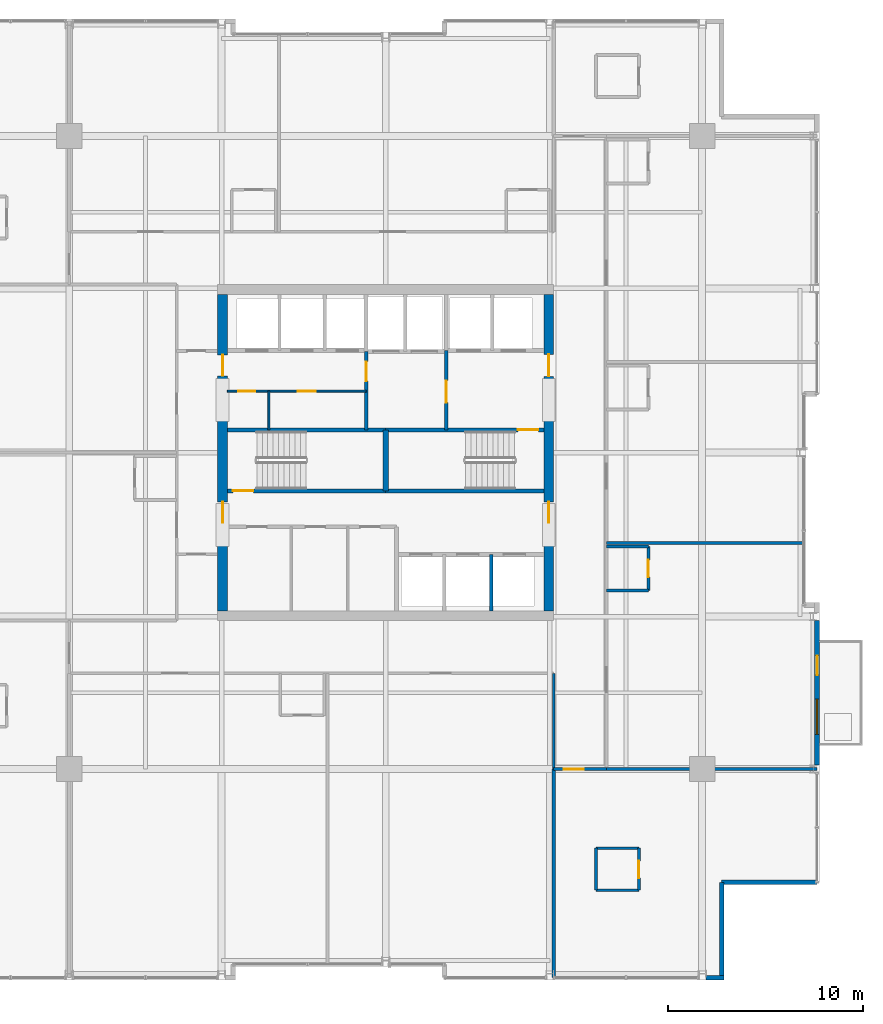
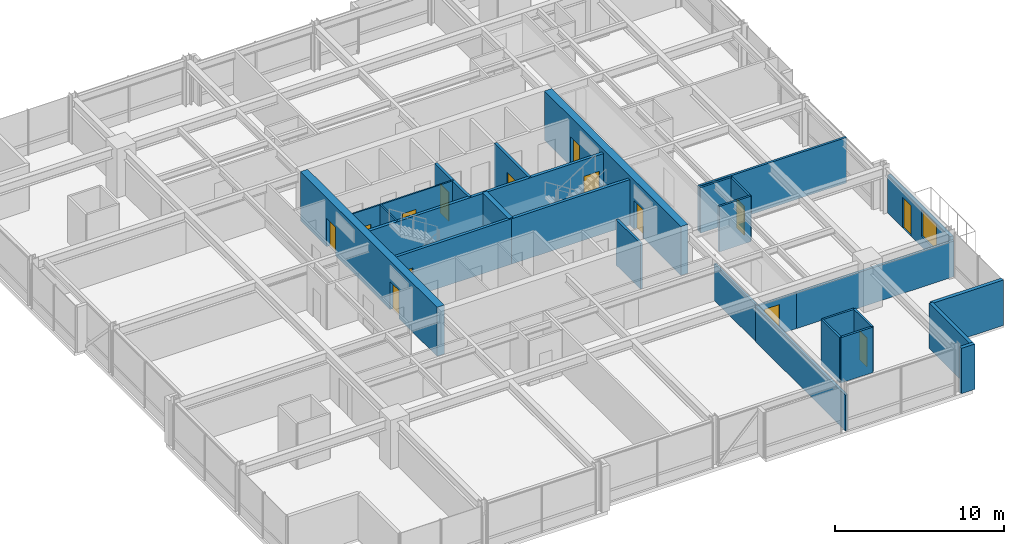
# One storey, part 28 of 33: 28 walls, 14 doors, 1 window, 15 openings.
"""IFC4 building model written with IfcOpenShell, lengths in metres."""

from ifc_helpers import new_model, si_unit, direction, frame, frame_2d, origin, place, context, subcontext, project, spatial, rectangle, extrude, material, layer, layer_set, type_object, element, fill, save


model = new_model("IFC4")

# Units and contexts
model_context = context("Model", 3, precision=1e-05, world=origin(), true_north=direction((0.0, 1.0)))
body_context = subcontext(model_context, "Body", "Model", "MODEL_VIEW")
ifc_project = project(units=[si_unit("LENGTHUNIT", "METRE"), si_unit("AREAUNIT", "SQUARE_METRE"), si_unit("VOLUMEUNIT", "CUBIC_METRE"), si_unit("PLANEANGLEUNIT", "RADIAN"), si_unit("MASSUNIT", "GRAM", prefix="KILO")], contexts=[model_context])

# Site, building, storey
site_placement = place(None, origin())
site = spatial("IfcSite", under=ifc_project, at=site_placement, CompositionType="ELEMENT")
building_placement = place(site_placement, origin())
building = spatial("IfcBuilding", under=site, at=building_placement, Name="Drelvath Grand Hotel", CompositionType="ELEMENT")
storey_placement = place(building_placement, frame((0.0, 0.0, 168.14990234375)))
storey = spatial("IfcBuildingStorey", under=building, at=storey_placement, Name="L43", CompositionType="ELEMENT", Elevation=168.14990234375)

# Wall, openings, doors
ifc_material_1 = material(Name="Gypsum Partition Board")
ifc_layer_1 = layer(ifc_material_1, 0.10009765625)
ifc_layer_set_1 = layer_set([ifc_layer_1], Name="Gypsum Partition Board")
wall_type_1 = type_object("IfcWallType", Name="Core Closet Partition 100", PredefinedType="PARTITIONING", material=ifc_layer_set_1)
wall_1_placement = place(storey_placement, frame((-8.10009765625, 30.139892578125, 0.0), z_axis=(0.0, 0.0, 1.0), x_axis=(1.0, 0.0, 0.0)))
wall_1 = element("IfcWall", 1, at=wall_1_placement, inside=storey, type_object=wall_type_1, Name="L43 High-Rise Lobby Closet Wall", PredefinedType="PARTITIONING", context=body_context, shape_type="SweptSolid", body=[
    extrude(rectangle(XDim=7.10009765625, YDim=0.10009765625, at=frame_2d((3.550048828125, 0.0))), origin(), (0.0, 0.0, 1.0), 3.2900390625),
])
opening_1_placement = place(wall_1_placement, frame((0.550048828125, 0.0, 0.0)))
opening_1 = element("IfcOpeningElement", 2, at=opening_1_placement, cuts=wall_1, Name="Opening D-T3G2-014", PredefinedType="OPENING", context=body_context, shape_type="SweptSolid", body=[
    extrude(rectangle(XDim=0.8798828125, YDim=2.10009765625, at=frame_2d((0.43994140625, 1.050048828125))), frame((0.0, 0.06005859375, 0.0), z_axis=(0.0, -1.0, 0.0), x_axis=(1.0, 0.0, 0.0)), (0.0, 0.0, 1.0), 0.1201171875),
])
opening_2_placement = place(wall_1_placement, frame((3.60009765625, 0.0, 0.0)))
opening_2 = element("IfcOpeningElement", 3, at=opening_2_placement, cuts=wall_1, Name="Opening D-T3G2-015", PredefinedType="OPENING", context=body_context, shape_type="SweptSolid", body=[
    extrude(rectangle(XDim=0.919921875, YDim=2.10009765625, at=frame_2d((0.4599609375, 1.050048828125))), frame((0.0, 0.06005859375, 0.0), z_axis=(0.0, -1.0, 0.0), x_axis=(1.0, 0.0, 0.0)), (0.0, 0.0, 1.0), 0.1201171875),
])
ifc_material_2 = material(Name="Hardwood Walnut Timber", Category="wood")
door_type_1 = type_object("IfcDoorType", Name="En-Suite Bathroom Door 880x2100", OperationType="NOTDEFINED", PredefinedType="DOOR", material=ifc_material_2)
door_1_placement = place(opening_1_placement, origin())
door_1 = element("IfcDoor", 4, at=door_1_placement, inside=storey, type_object=door_type_1, Name="L43 Low-Voltage Closet Door", OperationType="SINGLE_SWING_LEFT", OverallHeight=2.10009765625, OverallWidth=0.8798828125, PredefinedType="DOOR", context=body_context, shape_type="SweptSolid", body=[
    extrude(rectangle(XDim=0.8798828125, YDim=2.10009765625, at=frame_2d((0.43994140625, 1.050048828125))), frame((0.0, 0.02490234375, 0.0), z_axis=(0.0, -1.0, 0.0), x_axis=(1.0, 0.0, 0.0)), (0.0, 0.0, 1.0), 0.050048828125),
])
fill(opening_1, door_1)
ifc_material_3 = material(Name="Painted Steel S275", Category="steel")
door_type_2 = type_object("IfcDoorType", Name="Staff Utility Door 920x2100", OperationType="NOTDEFINED", PredefinedType="DOOR", material=ifc_material_3)
door_2_placement = place(opening_2_placement, origin())
door_2 = element("IfcDoor", 5, at=door_2_placement, inside=storey, type_object=door_type_2, Name="L43 Telecom Distribution Door", OperationType="SINGLE_SWING_RIGHT", OverallHeight=2.10009765625, OverallWidth=0.919921875, PredefinedType="DOOR", context=body_context, shape_type="SweptSolid", body=[
    extrude(rectangle(XDim=0.919921875, YDim=2.10009765625, at=frame_2d((0.4599609375, 1.050048828125))), frame((0.0, 0.02490234375, 0.0), z_axis=(0.0, -1.0, 0.0), x_axis=(1.0, 0.0, 0.0)), (0.0, 0.0, 1.0), 0.050048828125),
])
fill(opening_2, door_2)

# Wall
wall_2_placement = place(storey_placement, frame((-5.97998046875, 28.159912109375, 0.0), z_axis=(0.0, 0.0, 1.0), x_axis=(0.0, 1.0, 0.0)))
element("IfcWall", 6, at=wall_2_placement, inside=storey, type_object=wall_type_1, Name="L43 Core Closet Split 2", PredefinedType="PARTITIONING", context=body_context, shape_type="SweptSolid", body=[
    extrude(rectangle(XDim=1.97998046875, YDim=0.10009765625, at=frame_2d((0.989990234375, 0.0))), origin(), (0.0, 0.0, 1.0), 3.2900390625),
])

# Wall, opening, door
ifc_material_4 = material(Name="Concrete C40/50", Category="concrete")
ifc_layer_2 = layer(ifc_material_4, 0.199951171875)
ifc_layer_set_2 = layer_set([ifc_layer_2], Name="Concrete C40/50")
wall_type_2 = type_object("IfcWallType", Name="Core Shaft Fire Wall 200", PredefinedType="SOLIDWALL", material=ifc_layer_set_2)
wall_3_placement = place(storey_placement, frame((-8.10009765625, 25.0400390625, 0.0), z_axis=(0.0, 0.0, 1.0), x_axis=(1.0, 0.0, 0.0)))
wall_3 = element("IfcWall", 7, at=wall_3_placement, inside=storey, type_object=wall_type_2, Name="L43 Stair ST-1 South Wall", PredefinedType="SOLIDWALL", context=body_context, shape_type="SweptSolid", body=[
    extrude(rectangle(XDim=8.10009765625, YDim=0.199951171875, at=frame_2d((4.050048828125, 0.0))), origin(), (0.0, 0.0, 1.0), 3.2900390625),
])
opening_3_placement = place(wall_3_placement, frame((0.280029296875, 0.0, 0.0)))
opening_3 = element("IfcOpeningElement", 8, at=opening_3_placement, cuts=wall_3, Name="Opening D-T3G2-001", PredefinedType="OPENING", context=body_context, shape_type="SweptSolid", body=[
    extrude(rectangle(XDim=1.050048828125, YDim=2.10009765625, at=frame_2d((0.52490234375, 1.050048828125))), frame((0.0, 0.10986328125, 0.0), z_axis=(0.0, -1.0, 0.0), x_axis=(1.0, 0.0, 0.0)), (0.0, 0.0, 1.0), 0.219970703125),
])
door_type_3 = type_object("IfcDoorType", Name="Tower Stairwell Fire Door 1050x2100", OperationType="NOTDEFINED", PredefinedType="DOOR", material=ifc_material_3)
door_3_placement = place(opening_3_placement, origin())
door_3 = element("IfcDoor", 9, at=door_3_placement, inside=storey, type_object=door_type_3, Name="L43 Exit Stair ST-1 Door", OperationType="SINGLE_SWING_LEFT", OverallHeight=2.10009765625, OverallWidth=1.050048828125, PredefinedType="DOOR", context=body_context, shape_type="SweptSolid", body=[
    extrude(rectangle(XDim=1.050048828125, YDim=2.10009765625, at=frame_2d((0.52490234375, 1.050048828125))), frame((0.0, 0.02490234375, 0.0), z_axis=(0.0, -1.0, 0.0), x_axis=(1.0, 0.0, 0.0)), (0.0, 0.0, 1.0), 0.050048828125),
])
fill(opening_3, door_3)

# Walls
for number, where, z_axis, x_axis, name in (
    (10, (-8.10009765625, 28.159912109375, 0.0), (0.0, 0.0, 1.0), (1.0, 0.0, 0.0), "L43 Stair ST-1 North Wall"),
    (11, (0.0, 25.0400390625, 0.0), (0.0, 0.0, 1.0), (1.0, 0.0, 0.0), "L43 Stair ST-2 South Wall"),
):
    element("IfcWall", number, at=place(storey_placement, frame(where, z_axis=z_axis, x_axis=x_axis)), inside=storey, type_object=wall_type_2, Name=name, PredefinedType="SOLIDWALL", context=body_context, shape_type="SweptSolid", body=[
        extrude(rectangle(XDim=8.10009765625, YDim=0.199951171875, at=frame_2d((4.050048828125, 0.0))), origin(), (0.0, 0.0, 1.0), 3.2900390625),
    ])

# Wall, opening, door
wall_4_placement = place(storey_placement, frame((8.10009765625, 28.159912109375, 0.0), z_axis=(0.0, 0.0, 1.0), x_axis=(-1.0, 0.0, 0.0)))
wall_4 = element("IfcWall", 12, at=wall_4_placement, inside=storey, type_object=wall_type_2, Name="L43 Stair ST-2 North Wall", PredefinedType="SOLIDWALL", context=body_context, shape_type="SweptSolid", body=[
    extrude(rectangle(XDim=8.10009765625, YDim=0.199951171875, at=frame_2d((4.050048828125, 0.0))), origin(), (0.0, 0.0, 1.0), 3.2900390625),
])
opening_4_placement = place(wall_4_placement, frame((0.280029296875, 0.0, 0.0)))
opening_4 = element("IfcOpeningElement", 13, at=opening_4_placement, cuts=wall_4, Name="Opening D-T3G2-002", PredefinedType="OPENING", context=body_context, shape_type="SweptSolid", body=[
    extrude(rectangle(XDim=1.050048828125, YDim=2.10009765625, at=frame_2d((0.52490234375, 1.050048828125))), frame((0.0, 0.10986328125, 0.0), z_axis=(0.0, -1.0, 0.0), x_axis=(1.0, 0.0, 0.0)), (0.0, 0.0, 1.0), 0.219970703125),
])
door_4_placement = place(opening_4_placement, origin())
door_4 = element("IfcDoor", 14, at=door_4_placement, inside=storey, type_object=door_type_3, Name="L43 Exit Stair ST-2 Door", OperationType="SINGLE_SWING_LEFT", OverallHeight=2.10009765625, OverallWidth=1.050048828125, PredefinedType="DOOR", context=body_context, shape_type="SweptSolid", body=[
    extrude(rectangle(XDim=1.050048828125, YDim=2.10009765625, at=frame_2d((0.52490234375, 1.050048828125))), frame((0.0, 0.02490234375, 0.0), z_axis=(0.0, -1.0, 0.0), x_axis=(1.0, 0.0, 0.0)), (0.0, 0.0, 1.0), 0.050048828125),
])
fill(opening_4, door_4)

# Walls
ifc_layer_3 = layer(ifc_material_4, 0.300048828125)
ifc_layer_set_3 = layer_set([ifc_layer_3], Name="Concrete C40/50")
wall_type_3 = type_object("IfcWallType", Name="Core Shaft Fire Wall 300", PredefinedType="SOLIDWALL", material=ifc_layer_set_3)
wall_5_placement = place(storey_placement, frame((0.0, 25.0400390625, 0.0), z_axis=(0.0, 0.0, 1.0), x_axis=(0.0, 1.0, 0.0)))
element("IfcWall", 15, at=wall_5_placement, inside=storey, type_object=wall_type_3, Name="L43 Core Stair Divider Wall", PredefinedType="SOLIDWALL", context=body_context, shape_type="SweptSolid", body=[
    extrude(rectangle(XDim=3.119873046875, YDim=0.300048828125, at=frame_2d((1.56005859375, 0.0))), origin(), (0.0, 0.0, 1.0), 3.2900390625),
])
ifc_material_5 = material(Name="Gypsum Fireboard Partition")
ifc_layer_4 = layer(ifc_material_5, 0.1650390625)
ifc_layer_set_4 = layer_set([ifc_layer_4], Name="Gypsum Fireboard Partition")
wall_type_4 = type_object("IfcWallType", Name="Core Shaft Partition 165", PredefinedType="PARTITIONING", material=ifc_layer_set_4)
wall_6_placement = place(storey_placement, frame((5.39990234375, 18.89990234375, 0.0), z_axis=(0.0, 0.0, 1.0), x_axis=(0.0, 1.0, 0.0)))
element("IfcWall", 16, at=wall_6_placement, inside=storey, type_object=wall_type_4, Name="L43 Lift PE-5/6 Divider", PredefinedType="PARTITIONING", context=body_context, shape_type="SweptSolid", body=[
    extrude(rectangle(XDim=2.880126953125, YDim=0.1650390625, at=frame_2d((1.43994140625, 0.0))), origin(), (0.0, 0.0, 1.0), 3.2900390625),
])
ifc_layer_5 = layer(ifc_material_5, 0.135009765625)
ifc_layer_set_5 = layer_set([ifc_layer_5], Name="Gypsum Fireboard Partition")
wall_type_5 = type_object("IfcWallType", Name="Corridor Fire Barrier Wall 135", PredefinedType="PARTITIONING", material=ifc_layer_set_5)
wall_7_placement = place(storey_placement, frame((8.60009765625, 10.800048828125, 0.0), z_axis=(0.0, 0.0, 1.0), x_axis=(0.0, 1.0, 0.0)))
element("IfcWall", 17, at=wall_7_placement, inside=storey, type_object=wall_type_5, Name="L43 East Spine South Inner Wall", PredefinedType="PARTITIONING", context=body_context, shape_type="SweptSolid", body=[
    extrude(rectangle(XDim=4.89990234375, YDim=0.135009765625, at=frame_2d((2.449951171875, 0.0))), origin(), (0.0, 0.0, 1.0), 2.66748046875),
])

# Wall, opening, door
wall_8_placement = place(storey_placement, frame((8.60009765625, 10.800048828125, 0.0), z_axis=(0.0, 0.0, 1.0), x_axis=(1.0, 0.0, 0.0)))
wall_8 = element("IfcWall", 18, at=wall_8_placement, inside=storey, type_object=wall_type_5, Name="L43 East Spine South End", PredefinedType="PARTITIONING", context=body_context, shape_type="SweptSolid", body=[
    extrude(rectangle(XDim=2.699951171875, YDim=0.135009765625, at=frame_2d((1.35009765625, 0.0))), origin(), (0.0, 0.0, 1.0), 2.57958984375),
])
opening_5_placement = place(wall_8_placement, frame((0.52001953125, 0.0, 0.0)))
opening_5 = element("IfcOpeningElement", 19, at=opening_5_placement, cuts=wall_8, Name="Opening D-T3G2-031", PredefinedType="OPENING", context=body_context, shape_type="SweptSolid", body=[
    extrude(rectangle(XDim=1.02001953125, YDim=2.14990234375, at=frame_2d((0.510009765625, 1.074951171875))), frame((0.0, 0.077392578125, 0.0), z_axis=(0.0, -1.0, 0.0), x_axis=(1.0, 0.0, 0.0)), (0.0, 0.0, 1.0), 0.155029296875),
])
door_type_4 = type_object("IfcDoorType", Name="Amenity Meeting Fire Door 1020x2150", OperationType="NOTDEFINED", PredefinedType="DOOR", material=ifc_material_2)
door_5_placement = place(opening_5_placement, origin())
door_5 = element("IfcDoor", 20, at=door_5_placement, inside=storey, type_object=door_type_4, Name="L43 Executive Suite Entry Door", OperationType="SINGLE_SWING_LEFT", OverallHeight=2.14990234375, OverallWidth=1.02001953125, PredefinedType="DOOR", context=body_context, shape_type="SweptSolid", body=[
    extrude(rectangle(XDim=1.02001953125, YDim=2.14990234375, at=frame_2d((0.510009765625, 1.074951171875))), frame((0.0, 0.02490234375, 0.0), z_axis=(0.0, -1.0, 0.0), x_axis=(1.0, 0.0, 0.0)), (0.0, 0.0, 1.0), 0.050048828125),
])
fill(opening_5, door_5)

# Walls
ifc_material_6 = material(Name="Moisture-Resistant Gypsum Board")
ifc_layer_6 = layer(ifc_material_6, 0.139892578125)
ifc_layer_set_6 = layer_set([ifc_layer_6], Name="Moisture-Resistant Gypsum Board")
wall_type_6 = type_object("IfcWallType", Name="En-Suite Plumbing Wall 140", PredefinedType="PLUMBINGWALL", material=ifc_layer_set_6)
for number, where, z_axis, x_axis, name in (
    (21, (10.760009765625, 4.60009765625, 0.0), (0.0, 0.0, 1.0), (1.0, 0.0, 0.0), "L43 Corner En-Suite South"),
    (22, (10.760009765625, 6.75, 0.0), (0.0, 0.0, 1.0), (1.0, 0.0, 0.0), "L43 Corner En-Suite North"),
):
    element("IfcWall", number, at=place(storey_placement, frame(where, z_axis=z_axis, x_axis=x_axis)), inside=storey, type_object=wall_type_6, Name=name, PredefinedType="PLUMBINGWALL", context=body_context, shape_type="SweptSolid", body=[
        extrude(rectangle(XDim=2.199951171875, YDim=0.139892578125, at=frame_2d((1.10009765625, 0.0))), origin(), (0.0, 0.0, 1.0), 3.2900390625),
    ])
wall_9_placement = place(storey_placement, frame((10.760009765625, 4.60009765625, 0.0), z_axis=(0.0, 0.0, 1.0), x_axis=(0.0, 1.0, 0.0)))
element("IfcWall", 23, at=wall_9_placement, inside=storey, type_object=wall_type_6, Name="L43 Corner En-Suite West", PredefinedType="PLUMBINGWALL", context=body_context, shape_type="SweptSolid", body=[
    extrude(rectangle(XDim=2.14990234375, YDim=0.139892578125, at=frame_2d((1.074951171875, 0.0))), origin(), (0.0, 0.0, 1.0), 3.2900390625),
])

# Wall, opening, door
wall_10_placement = place(storey_placement, frame((12.9599609375, 4.60009765625, 0.0), z_axis=(0.0, 0.0, 1.0), x_axis=(0.0, 1.0, 0.0)))
wall_10 = element("IfcWall", 24, at=wall_10_placement, inside=storey, type_object=wall_type_6, Name="L43 Corner En-Suite East", PredefinedType="PLUMBINGWALL", context=body_context, shape_type="SweptSolid", body=[
    extrude(rectangle(XDim=2.14990234375, YDim=0.139892578125, at=frame_2d((1.074951171875, 0.0))), origin(), (0.0, 0.0, 1.0), 3.2900390625),
])
opening_6_placement = place(wall_10_placement, frame((0.6201171875, 0.0, 0.0)))
opening_6 = element("IfcOpeningElement", 25, at=opening_6_placement, cuts=wall_10, Name="Opening D-T3G2-030", PredefinedType="OPENING", context=body_context, shape_type="SweptSolid", body=[
    extrude(rectangle(XDim=0.8798828125, YDim=2.10009765625, at=frame_2d((0.43994140625, 1.050048828125))), frame((0.0, 0.079833984375, 0.0), z_axis=(0.0, -1.0, 0.0), x_axis=(1.0, 0.0, 0.0)), (0.0, 0.0, 1.0), 0.159912109375),
])
door_6_placement = place(opening_6_placement, origin())
door_6 = element("IfcDoor", 26, at=door_6_placement, inside=storey, type_object=door_type_1, Name="L43 Corner En-Suite Door", OperationType="SINGLE_SWING_RIGHT", OverallHeight=2.10009765625, OverallWidth=0.8798828125, PredefinedType="DOOR", context=body_context, shape_type="SweptSolid", body=[
    extrude(rectangle(XDim=0.8798828125, YDim=2.10009765625, at=frame_2d((0.43994140625, 1.050048828125))), frame((0.0, 0.02490234375, 0.0), z_axis=(0.0, -1.0, 0.0), x_axis=(1.0, 0.0, 0.0)), (0.0, 0.0, 1.0), 0.050048828125),
])
fill(opening_6, door_6)

# Walls
for number, where, z_axis, x_axis, name in (
    (27, (11.300048828125, 19.94140625, 0.0), (0.0, 0.0, 1.0), (1.0, 0.0, 0.0), "L43 En-Suite Left Wall"),
    (28, (11.300048828125, 22.19140625, 0.0), (0.0, 0.0, 1.0), (1.0, 0.0, 0.0), "L43 En-Suite Right Wall"),
):
    element("IfcWall", number, at=place(storey_placement, frame(where, z_axis=z_axis, x_axis=x_axis)), inside=storey, type_object=wall_type_6, Name=name, PredefinedType="PLUMBINGWALL", context=body_context, shape_type="SweptSolid", body=[
        extrude(rectangle(XDim=2.14990234375, YDim=0.139892578125, at=frame_2d((1.074951171875, 0.0))), origin(), (0.0, 0.0, 1.0), 3.2900390625),
    ])

# Wall, opening, door
wall_11_placement = place(storey_placement, frame((13.449951171875, 19.94140625, 0.0), z_axis=(0.0, 0.0, 1.0), x_axis=(0.0, 1.0, 0.0)))
wall_11 = element("IfcWall", 29, at=wall_11_placement, inside=storey, type_object=wall_type_6, Name="L43 En-Suite Front Wall", PredefinedType="PLUMBINGWALL", context=body_context, shape_type="SweptSolid", body=[
    extrude(rectangle(XDim=2.25, YDim=0.139892578125, at=frame_2d((1.125, 0.0))), origin(), (0.0, 0.0, 1.0), 3.2900390625),
])
opening_7_placement = place(wall_11_placement, frame((0.68505859375, 0.0, 0.0)))
opening_7 = element("IfcOpeningElement", 30, at=opening_7_placement, cuts=wall_11, Name="Opening D-T3G2-041", PredefinedType="OPENING", context=body_context, shape_type="SweptSolid", body=[
    extrude(rectangle(XDim=0.8798828125, YDim=2.10009765625, at=frame_2d((0.43994140625, 1.050048828125))), frame((0.0, 0.079833984375, 0.0), z_axis=(0.0, -1.0, 0.0), x_axis=(1.0, 0.0, 0.0)), (0.0, 0.0, 1.0), 0.159912109375),
])
door_7_placement = place(opening_7_placement, origin())
door_7 = element("IfcDoor", 31, at=door_7_placement, inside=storey, type_object=door_type_1, Name="L43 En-Suite Bathroom Door", OperationType="SINGLE_SWING_LEFT", OverallHeight=2.10009765625, OverallWidth=0.8798828125, PredefinedType="DOOR", context=body_context, shape_type="SweptSolid", body=[
    extrude(rectangle(XDim=0.8798828125, YDim=2.10009765625, at=frame_2d((0.43994140625, 1.050048828125))), frame((0.0, 0.02490234375, 0.0), z_axis=(0.0, -1.0, 0.0), x_axis=(1.0, 0.0, 0.0)), (0.0, 0.0, 1.0), 0.050048828125),
])
fill(opening_7, door_7)

ifc_layer_7 = layer(ifc_material_5, 0.179931640625)
ifc_layer_set_7 = layer_set([ifc_layer_7], Name="Gypsum Fireboard Partition")
wall_type_7 = type_object("IfcWallType", Name="FSAE Smoke Lobby Fire Wall 180", PredefinedType="SOLIDWALL", material=ifc_layer_set_7)
wall_12_placement = place(storey_placement, frame((3.10009765625, 28.159912109375, 0.0), z_axis=(0.0, 0.0, 1.0), x_axis=(0.0, 1.0, 0.0)))
wall_12 = element("IfcWall", 32, at=wall_12_placement, inside=storey, type_object=wall_type_7, Name="L43 FSAE Smoke Lobby West Wall", PredefinedType="SOLIDWALL", context=body_context, shape_type="SweptSolid", body=[
    extrude(rectangle(XDim=4.06005859375, YDim=0.179931640625, at=frame_2d((2.030029296875, 0.0))), origin(), (0.0, 0.0, 1.0), 3.2900390625),
])
opening_8_placement = place(wall_12_placement, frame((1.39990234375, 0.0, 0.0)))
opening_8 = element("IfcOpeningElement", 33, at=opening_8_placement, cuts=wall_12, Name="Opening D-T3G2-005", PredefinedType="OPENING", context=body_context, shape_type="SweptSolid", body=[
    extrude(rectangle(XDim=1.1201171875, YDim=2.10009765625, at=frame_2d((0.56005859375, 1.050048828125))), frame((0.0, 0.099853515625, 0.0), z_axis=(0.0, -1.0, 0.0), x_axis=(1.0, 0.0, 0.0)), (0.0, 0.0, 1.0), 0.199951171875),
])
door_type_5 = type_object("IfcDoorType", Name="FSAE Smoke Lobby Fire Door 1120x2100", OperationType="NOTDEFINED", PredefinedType="DOOR", material=ifc_material_3)
door_8_placement = place(opening_8_placement, origin())
door_8 = element("IfcDoor", 34, at=door_8_placement, inside=storey, type_object=door_type_5, Name="L43 FSAE Lobby Service Vestibule Door", OperationType="SINGLE_SWING_RIGHT", OverallHeight=2.10009765625, OverallWidth=1.1201171875, PredefinedType="DOOR", context=body_context, shape_type="SweptSolid", body=[
    extrude(rectangle(XDim=1.1201171875, YDim=2.10009765625, at=frame_2d((0.56005859375, 1.050048828125))), frame((0.0, 0.02490234375, 0.0), z_axis=(0.0, -1.0, 0.0), x_axis=(1.0, 0.0, 0.0)), (0.0, 0.0, 1.0), 0.050048828125),
])
fill(opening_8, door_8)

wall_13_placement = place(storey_placement, frame((-1.0, 28.159912109375, 0.0), z_axis=(0.0, 0.0, 1.0), x_axis=(0.0, 1.0, 0.0)))
wall_13 = element("IfcWall", 35, at=wall_13_placement, inside=storey, type_object=wall_type_7, Name="L43 Service Vestibule West Wall", PredefinedType="SOLIDWALL", context=body_context, shape_type="SweptSolid", body=[
    extrude(rectangle(XDim=4.02001953125, YDim=0.179931640625, at=frame_2d((2.010009765625, 0.0))), origin(), (0.0, 0.0, 1.0), 3.2900390625),
])
opening_9_placement = place(wall_13_placement, frame((2.489990234375, 0.0, 0.0)))
opening_9 = element("IfcOpeningElement", 36, at=opening_9_placement, cuts=wall_13, Name="Opening D-T3G2-009", PredefinedType="OPENING", context=body_context, shape_type="SweptSolid", body=[
    extrude(rectangle(XDim=1.0, YDim=2.10009765625, at=frame_2d((0.5, 1.050048828125))), frame((0.0, 0.099853515625, 0.0), z_axis=(0.0, -1.0, 0.0), x_axis=(1.0, 0.0, 0.0)), (0.0, 0.0, 1.0), 0.199951171875),
])
door_type_6 = type_object("IfcDoorType", Name="Core Service Fire Door 1000x2100", OperationType="NOTDEFINED", PredefinedType="DOOR", material=ifc_material_3)
door_9_placement = place(opening_9_placement, origin())
door_9 = element("IfcDoor", 37, at=door_9_placement, inside=storey, type_object=door_type_6, Name="L43 Service Vestibule West Door", OperationType="SINGLE_SWING_LEFT", OverallHeight=2.10009765625, OverallWidth=1.0, PredefinedType="DOOR", context=body_context, shape_type="SweptSolid", body=[
    extrude(rectangle(XDim=1.0, YDim=2.10009765625, at=frame_2d((0.5, 1.050048828125))), frame((0.0, 0.02490234375, 0.0), z_axis=(0.0, -1.0, 0.0), x_axis=(1.0, 0.0, 0.0)), (0.0, 0.0, 1.0), 0.050048828125),
])
fill(opening_9, door_9)

# Walls
ifc_material_7 = material(Name="Gypsum Acoustic Partition")
ifc_layer_8 = layer(ifc_material_7, 0.14990234375)
ifc_layer_set_8 = layer_set([ifc_layer_8], Name="Gypsum Acoustic Partition")
wall_type_8 = type_object("IfcWallType", Name="Guestroom Demising Wall 150", PredefinedType="PARTITIONING", material=ifc_layer_set_8)
wall_14_placement = place(storey_placement, frame((11.300048828125, 22.371337890625, 0.0), z_axis=(0.0, 0.0, 1.0), x_axis=(1.0, 0.0, 0.0)))
element("IfcWall", 38, at=wall_14_placement, inside=storey, type_object=wall_type_8, Name="L43 East Demising 1", PredefinedType="PARTITIONING", context=body_context, shape_type="SweptSolid", body=[
    extrude(rectangle(XDim=10.099853515625, YDim=0.14990234375, at=frame_2d((5.0498046875, 0.0))), origin(), (0.0, 0.0, 1.0), 3.2900390625),
])
ifc_layer_9 = layer(ifc_material_7, 0.1650390625)
ifc_layer_set_9 = layer_set([ifc_layer_9], Name="Gypsum Acoustic Partition")
wall_type_9 = type_object("IfcWallType", Name="Suite Demising Wall 165", PredefinedType="PARTITIONING", material=ifc_layer_set_9)
wall_15_placement = place(storey_placement, frame((8.60009765625, 0.1201171875, 0.0), z_axis=(0.0, 0.0, 1.0), x_axis=(0.0, 1.0, 0.0)))
element("IfcWall", 39, at=wall_15_placement, inside=storey, type_object=wall_type_9, Name="L43 SE Suite West Wall", PredefinedType="PARTITIONING", context=body_context, shape_type="SweptSolid", body=[
    extrude(rectangle(XDim=10.679931640625, YDim=0.1650390625, at=frame_2d((5.33984375, 0.0))), origin(), (0.0, 0.0, 1.0), 2.57958984375),
])
wall_16_placement = place(storey_placement, frame((11.300048828125, 10.800048828125, 0.0), z_axis=(0.0, 0.0, 1.0), x_axis=(1.0, 0.0, 0.0)))
element("IfcWall", 40, at=wall_16_placement, inside=storey, type_object=wall_type_9, Name="L43 SE Suite North Wall", PredefinedType="PARTITIONING", context=body_context, shape_type="SweptSolid", body=[
    extrude(rectangle(XDim=10.780029296875, YDim=0.1650390625, at=frame_2d((5.39013671875, 0.0))), origin(), (0.0, 0.0, 1.0), 2.57958984375),
])

# Wall, openings, window, door
ifc_material_8 = material(Name="Pale-Metal Insulated Aluminium Spandrel Assembly", Category="aluminium")
ifc_layer_10 = layer(ifc_material_8, 0.239990234375)
ifc_layer_set_10 = layer_set([ifc_layer_10], Name="Pale-Metal Insulated Aluminium Spandrel Assembly")
wall_type_10 = type_object("IfcWallType", Name="Tower Insulated Metal Spandrel Closure Wall 240", PredefinedType="STANDARD", material=ifc_layer_set_10)
wall_17_placement = place(storey_placement, frame((22.080078125, 18.39990234375, 0.0), z_axis=(0.0, 0.0, 1.0), x_axis=(0.0, -1.0, 0.0)))
wall_17 = element("IfcWall", 41, at=wall_17_placement, inside=storey, type_object=wall_type_10, Name="L43 Exterior Terrace Door Bay Wall ES2", PredefinedType="STANDARD", context=body_context, shape_type="SweptSolid", body=[
    extrude(rectangle(XDim=7.39990234375, YDim=0.239990234375, at=frame_2d((3.699951171875, 0.0))), origin(), (0.0, 0.0, 1.0), 2.75341796875),
])
opening_10_placement = place(wall_17_placement, frame((1.800048828125, 0.0, 0.0)))
opening_10 = element("IfcOpeningElement", 42, at=opening_10_placement, cuts=wall_17, Name="Opening TD-1000", PredefinedType="OPENING", context=body_context, shape_type="SweptSolid", body=[
    extrude(rectangle(XDim=1.0, YDim=2.199951171875, at=frame_2d((0.5, 1.10009765625))), frame((0.0, 0.1298828125, 0.0), z_axis=(0.0, -1.0, 0.0), x_axis=(1.0, 0.0, 0.0)), (0.0, 0.0, 1.0), 0.260009765625),
])
opening_11_placement = place(wall_17_placement, frame((4.02490234375, 0.0, 0.75)))
opening_11 = element("IfcOpeningElement", 43, at=opening_11_placement, cuts=wall_17, Name="Opening W-02", PredefinedType="OPENING", context=body_context, shape_type="SweptSolid", body=[
    extrude(rectangle(XDim=1.800048828125, YDim=1.9033203125, at=frame_2d((0.89990234375, 0.95166015625))), frame((0.0, 0.1298828125, 0.0), z_axis=(0.0, -1.0, 0.0), x_axis=(1.0, 0.0, 0.0)), (0.0, 0.0, 1.0), 0.260009765625),
])
ifc_material_9 = material(Name="Bronze Anodised Low-E Triple Glazing", Category="glass")
window_type = type_object("IfcWindowType", Name="Chicago Double-Pane Podium Window 1800x2400", PartitioningType="DOUBLE_PANEL_VERTICAL", PredefinedType="WINDOW", material=ifc_material_9)
window_placement = place(opening_11_placement, origin())
window = element("IfcWindow", 44, at=window_placement, inside=storey, type_object=window_type, Name="L43 Terrace Bay Companion Window ES2", OverallHeight=1.9033203125, OverallWidth=1.800048828125, PartitioningType="SINGLE_PANEL", PredefinedType="WINDOW", context=body_context, shape_type="SweptSolid", body=[
    extrude(rectangle(XDim=1.800048828125, YDim=1.9033203125, at=frame_2d((0.89990234375, 0.95166015625))), frame((0.0, 0.030029296875, 0.0), z_axis=(0.0, -1.0, 0.0), x_axis=(1.0, 0.0, 0.0)), (0.0, 0.0, 1.0), 0.06005859375),
])
fill(opening_11, window)
ifc_material_10 = material(Name="Anodised Aluminium Thermally Broken Glazed Door", Category="aluminium")
door_type_7 = type_object("IfcDoorType", Name="Terrace and Tree Balcony Glazed Door 1000x2200", OperationType="NOTDEFINED", PredefinedType="DOOR", material=ifc_material_10)
door_10_placement = place(opening_10_placement, origin())
door_10 = element("IfcDoor", 45, at=door_10_placement, inside=storey, type_object=door_type_7, Name="L43 Tree Balcony Door DOOR-L43-TBAL-1", OperationType="SINGLE_SWING_RIGHT", OverallHeight=2.199951171875, OverallWidth=1.0, PredefinedType="DOOR", context=body_context, shape_type="SweptSolid", body=[
    extrude(rectangle(XDim=1.0, YDim=2.199951171875, at=frame_2d((0.5, 1.10009765625))), frame((0.0, 0.02490234375, 0.0), z_axis=(0.0, -1.0, 0.0), x_axis=(1.0, 0.0, 0.0)), (0.0, 0.0, 1.0), 0.050048828125),
])
fill(opening_10, door_10)

# Walls
wall_18_placement = place(storey_placement, frame((17.320068359375, 0.1201171875, 0.0), z_axis=(0.0, 0.0, 1.0), x_axis=(-1.0, 0.0, 0.0)))
element("IfcWall", 46, at=wall_18_placement, inside=storey, type_object=wall_type_10, Name="L43 Corner Pier Spandrel Wall SE3", PredefinedType="STANDARD", context=body_context, shape_type="SweptSolid", body=[
    extrude(rectangle(XDim=0.919921875, YDim=0.239990234375, at=frame_2d((0.4599609375, 0.0))), origin(), (0.0, 0.0, 1.0), 3.2900390625),
])
wall_19_placement = place(storey_placement, frame((22.080078125, 5.0, 0.0), z_axis=(0.0, 0.0, 1.0), x_axis=(-1.0, 0.0, 0.0)))
element("IfcWall", 47, at=wall_19_placement, inside=storey, type_object=wall_type_10, Name="L43 Notched Corner Return Spandrel Wall CSE1", PredefinedType="STANDARD", context=body_context, shape_type="SweptSolid", body=[
    extrude(rectangle(XDim=4.880126953125, YDim=0.239990234375, at=frame_2d((2.43994140625, 0.0))), origin(), (0.0, 0.0, 1.0), 3.2900390625),
])
wall_20_placement = place(storey_placement, frame((17.199951171875, 5.0, 0.0), z_axis=(0.0, 0.0, 1.0), x_axis=(0.0, -1.0, 0.0)))
element("IfcWall", 48, at=wall_20_placement, inside=storey, type_object=wall_type_10, Name="L43 Notched Corner Return Spandrel Wall CSE2", PredefinedType="STANDARD", context=body_context, shape_type="SweptSolid", body=[
    extrude(rectangle(XDim=4.760009765625, YDim=0.239990234375, at=frame_2d((2.3798828125, 0.0))), origin(), (0.0, 0.0, 1.0), 3.2900390625),
])

# Wall, openings, doors
ifc_material_11 = material(Name="Concrete f'c 55 MPa", Category="concrete")
ifc_layer_11 = layer(ifc_material_11, 0.5)
ifc_layer_set_11 = layer_set([ifc_layer_11], Name="Concrete f'c 55 MPa")
wall_type_11 = type_object("IfcWallType", Name="Upper Core RC Shear Wall 500", PredefinedType="SHEAR", material=ifc_layer_set_11)
wall_21_placement = place(storey_placement, frame((8.35009765625, 35.10009765625, 0.0), z_axis=(0.0, 0.0, 1.0), x_axis=(0.0, -1.0, 0.0)))
wall_21 = element("IfcWall", 49, at=wall_21_placement, inside=storey, type_object=wall_type_11, Name="L43 Central Core Shear Wall E", PredefinedType="SHEAR", context=body_context, shape_type="SweptSolid", body=[
    extrude(rectangle(XDim=16.2001953125, YDim=0.5, at=frame_2d((8.10009765625, 0.0))), origin(), (0.0, 0.0, 1.0), 3.550048828125),
])
opening_12_placement = place(wall_21_placement, frame((3.080078125, 0.0, 0.0)))
opening_12 = element("IfcOpeningElement", 50, at=opening_12_placement, cuts=wall_21, Name="Opening D-T3G2-006", PredefinedType="OPENING", context=body_context, shape_type="SweptSolid", body=[
    extrude(rectangle(XDim=1.1201171875, YDim=2.10009765625, at=frame_2d((0.56005859375, 1.050048828125))), frame((0.0, 0.260009765625, 0.0), z_axis=(0.0, -1.0, 0.0), x_axis=(1.0, 0.0, 0.0)), (0.0, 0.0, 1.0), 0.52001953125),
])
opening_13_placement = place(wall_21_placement, frame((10.6201171875, 0.0, 0.0)))
opening_13 = element("IfcOpeningElement", 51, at=opening_13_placement, cuts=wall_21, Name="Opening D-T3G2-020", PredefinedType="OPENING", context=body_context, shape_type="SweptSolid", body=[
    extrude(rectangle(XDim=1.080078125, YDim=2.0400390625, at=frame_2d((0.5400390625, 1.02001953125))), frame((0.0, 0.260009765625, 0.0), z_axis=(0.0, -1.0, 0.0), x_axis=(1.0, 0.0, 0.0)), (0.0, 0.0, 1.0), 0.52001953125),
])
door_type_8 = type_object("IfcDoorType", Name="Core Corridor Fire Door 1080x2100", OperationType="NOTDEFINED", PredefinedType="DOOR", material=ifc_material_3)
door_11_placement = place(opening_13_placement, origin())
door_11 = element("IfcDoor", 52, at=door_11_placement, inside=storey, type_object=door_type_8, Name="L43 Mid-Rise Lobby East Door", OperationType="SINGLE_SWING_RIGHT", OverallHeight=2.0400390625, OverallWidth=1.080078125, PredefinedType="DOOR", context=body_context, shape_type="SweptSolid", body=[
    extrude(rectangle(XDim=1.080078125, YDim=2.0400390625, at=frame_2d((0.5400390625, 1.02001953125))), frame((0.0, 0.02490234375, 0.0), z_axis=(0.0, -1.0, 0.0), x_axis=(1.0, 0.0, 0.0)), (0.0, 0.0, 1.0), 0.050048828125),
])
fill(opening_13, door_11)
door_12_placement = place(opening_12_placement, origin())
door_12 = element("IfcDoor", 53, at=door_12_placement, inside=storey, type_object=door_type_5, Name="L43 FSAE Lobby East Corridor Door", OperationType="SINGLE_SWING_LEFT", OverallHeight=2.10009765625, OverallWidth=1.1201171875, PredefinedType="DOOR", context=body_context, shape_type="SweptSolid", body=[
    extrude(rectangle(XDim=1.1201171875, YDim=2.10009765625, at=frame_2d((0.56005859375, 1.050048828125))), frame((0.0, 0.02490234375, 0.0), z_axis=(0.0, -1.0, 0.0), x_axis=(1.0, 0.0, 0.0)), (0.0, 0.0, 1.0), 0.050048828125),
])
fill(opening_12, door_12)

wall_22_placement = place(storey_placement, frame((-8.35009765625, 18.89990234375, 0.0), z_axis=(0.0, 0.0, 1.0), x_axis=(0.0, 1.0, 0.0)))
wall_22 = element("IfcWall", 54, at=wall_22_placement, inside=storey, type_object=wall_type_11, Name="L43 Central Core Shear Wall W", PredefinedType="SHEAR", context=body_context, shape_type="SweptSolid", body=[
    extrude(rectangle(XDim=16.2001953125, YDim=0.5, at=frame_2d((8.10009765625, 0.0))), origin(), (0.0, 0.0, 1.0), 3.550048828125),
])
opening_14_placement = place(wall_22_placement, frame((12.02001953125, 0.0, 0.0)))
opening_14 = element("IfcOpeningElement", 55, at=opening_14_placement, cuts=wall_22, Name="Opening D-T3G2-013", PredefinedType="OPENING", context=body_context, shape_type="SweptSolid", body=[
    extrude(rectangle(XDim=1.080078125, YDim=2.0400390625, at=frame_2d((0.5400390625, 1.02001953125))), frame((0.0, 0.260009765625, 0.0), z_axis=(0.0, -1.0, 0.0), x_axis=(1.0, 0.0, 0.0)), (0.0, 0.0, 1.0), 0.52001953125),
])
opening_15_placement = place(wall_22_placement, frame((4.5, 0.0, 0.0)))
opening_15 = element("IfcOpeningElement", 56, at=opening_15_placement, cuts=wall_22, Name="Opening D-T3G2-019", PredefinedType="OPENING", context=body_context, shape_type="SweptSolid", body=[
    extrude(rectangle(XDim=1.080078125, YDim=2.0400390625, at=frame_2d((0.5400390625, 1.02001953125))), frame((0.0, 0.260009765625, 0.0), z_axis=(0.0, -1.0, 0.0), x_axis=(1.0, 0.0, 0.0)), (0.0, 0.0, 1.0), 0.52001953125),
])
door_13_placement = place(opening_14_placement, origin())
door_13 = element("IfcDoor", 57, at=door_13_placement, inside=storey, type_object=door_type_8, Name="L43 High-Rise Lift Lobby West Door", OperationType="SINGLE_SWING_RIGHT", OverallHeight=2.0400390625, OverallWidth=1.080078125, PredefinedType="DOOR", context=body_context, shape_type="SweptSolid", body=[
    extrude(rectangle(XDim=1.080078125, YDim=2.0400390625, at=frame_2d((0.5400390625, 1.02001953125))), frame((0.0, 0.02490234375, 0.0), z_axis=(0.0, -1.0, 0.0), x_axis=(1.0, 0.0, 0.0)), (0.0, 0.0, 1.0), 0.050048828125),
])
fill(opening_14, door_13)
door_14_placement = place(opening_15_placement, origin())
door_14 = element("IfcDoor", 58, at=door_14_placement, inside=storey, type_object=door_type_8, Name="L43 Mid-Rise Lobby West Door", OperationType="SINGLE_SWING_LEFT", OverallHeight=2.0400390625, OverallWidth=1.080078125, PredefinedType="DOOR", context=body_context, shape_type="SweptSolid", body=[
    extrude(rectangle(XDim=1.080078125, YDim=2.0400390625, at=frame_2d((0.5400390625, 1.02001953125))), frame((0.0, 0.02490234375, 0.0), z_axis=(0.0, -1.0, 0.0), x_axis=(1.0, 0.0, 0.0)), (0.0, 0.0, 1.0), 0.050048828125),
])
fill(opening_15, door_14)

save(model, "model.ifc")
